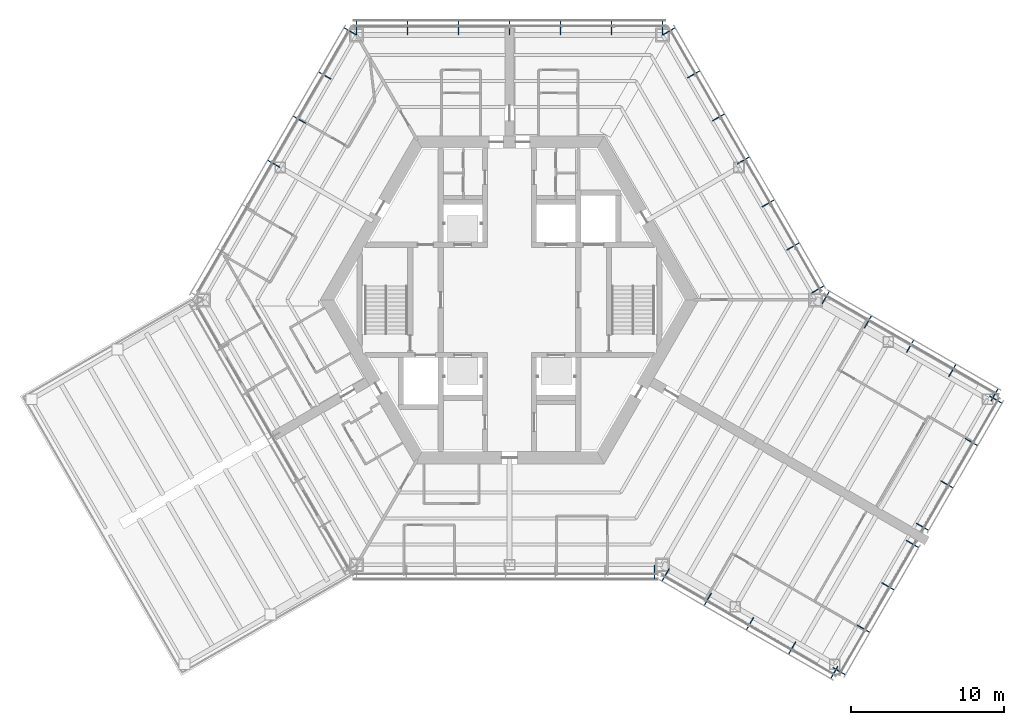
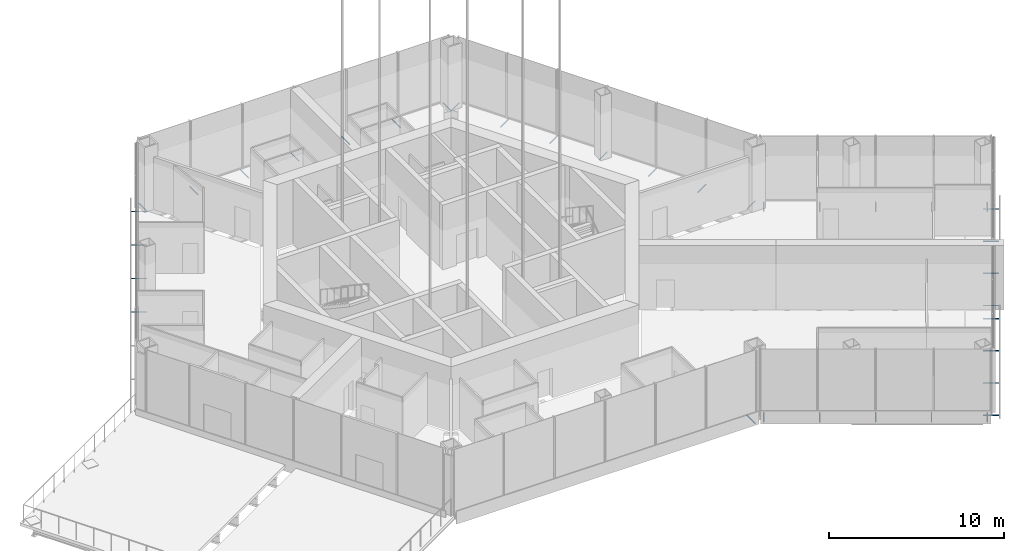
# One storey, part 14 of 17: 37 discrete accessories.
"""IFC4 building model written with IfcOpenShell, lengths in metres."""

from ifc_helpers import new_model, si_unit, direction, frame, origin, origin_2d, place, context, subcontext, project, spatial, hollow_circle, extrude, material, material_profile, profile_set, type_object, element, save


model = new_model("IFC4")

# Units and contexts
model_context = context("Model", 3, precision=1e-05, world=origin(), true_north=direction((0.0, 1.0)))
body_context = subcontext(model_context, "Body", "Model", "MODEL_VIEW")
ifc_project = project(units=[si_unit("LENGTHUNIT", "METRE"), si_unit("AREAUNIT", "SQUARE_METRE"), si_unit("VOLUMEUNIT", "CUBIC_METRE"), si_unit("PLANEANGLEUNIT", "RADIAN"), si_unit("MASSUNIT", "GRAM", prefix="KILO")], contexts=[model_context])

# Site, building, storey
site_placement = place(None, origin())
site = spatial("IfcSite", under=ifc_project, at=site_placement, CompositionType="ELEMENT")
building_placement = place(site_placement, origin())
building = spatial("IfcBuilding", under=site, at=building_placement, Name="Kasaneha Research Tower", CompositionType="ELEMENT")
storey_placement = place(building_placement, frame((0.0, 0.0, 208.300048828125)))
storey = spatial("IfcBuildingStorey", under=building, at=storey_placement, Name="L52", CompositionType="ELEMENT", Elevation=208.300048828125)

# Discrete accessories
ifc_material = material(Name="Steel STK400", Category="steel")
ifc_material_profile = material_profile(ifc_material, hollow_circle(Radius=0.0380859375, WallThickness=0.00390625, at=origin_2d()), Name="CHS-76.3x4.0")
ifc_profile_set = profile_set([ifc_material_profile], Name="Steel STK400")
discrete_accessory_type = type_object("IfcDiscreteAccessoryType", Name="Screen bracket CHS-76.3x4.0", PredefinedType="BRACKET", material=ifc_profile_set)
for number, where, z_axis, x_axis, name in (
    (1, (19.74462890625, 0.4423828125, -0.35009765625), (0.866013213425, 0.500021113727, 0.0), (-0.500021113727, 0.866013213425, 0.0), "Screen bracket 1"),
    (2, (18.120849609375, 3.2548828125, -0.35009765625), (0.866013213425, 0.500021113727, 0.0), (-0.500021113727, 0.866013213425, 0.0), "Screen bracket 2"),
    (3, (16.4970703125, 6.0673828125, -0.35009765625), (0.866013213425, 0.500021113727, 0.0), (-0.500021113727, 0.866013213425, 0.0), "Screen bracket 3"),
    (4, (14.873291015625, 8.8798828125, -0.35009765625), (0.866013213425, 0.500021113727, 0.0), (-0.500021113727, 0.866013213425, 0.0), "Screen bracket 4"),
    (5, (13.24951171875, 11.6923828125, -0.35009765625), (0.866013213425, 0.500021113727, 0.0), (-0.500021113727, 0.866013213425, 0.0), "Screen bracket 5"),
):
    element("IfcDiscreteAccessory", number, at=place(storey_placement, frame(where, z_axis=z_axis, x_axis=x_axis)), inside=storey, type_object=discrete_accessory_type, Name=name, PredefinedType="BRACKET", context=body_context, shape_type="SweptSolid", body=[
        extrude(hollow_circle(Radius=0.0380859375, WallThickness=0.00390625, at=origin_2d()), origin(), (0.0, 0.0, 1.0), 0.919921875),
    ])
for number, where, z_axis, x_axis, name in (
    (6, (11.62548828125, 14.5048828125, -0.35009765625), (0.866079547155, 0.499906209203, 0.0), (-0.499906209203, 0.866079547155, 0.0), "Screen bracket 6"),
    (7, (10.001708984375, 17.3173828125, -0.35009765625), (0.866079547155, 0.499906209203, 0.0), (-0.499906209203, 0.866079547155, 0.0), "Screen bracket 7"),
):
    element("IfcDiscreteAccessory", number, at=place(storey_placement, frame(where, z_axis=z_axis, x_axis=x_axis)), inside=storey, type_object=discrete_accessory_type, Name=name, PredefinedType="BRACKET", context=body_context, shape_type="SweptSolid", body=[
        extrude(hollow_circle(Radius=0.0380859375, WallThickness=0.00390625, at=origin_2d()), origin(), (0.0, 0.0, 1.0), 0.920166015625),
    ])
for number, where, z_axis, x_axis, name in (
    (8, (9.996337890625, 17.320556640625, -0.35009765625), (0.0, 1.0, 0.0), (-1.0, 0.0, 0.0), "Screen bracket 1"),
    (9, (6.664306640625, 17.320556640625, -0.35009765625), (0.0, 1.0, 0.0), (-1.0, 0.0, 0.0), "Screen bracket 2"),
    (10, (3.33203125, 17.320556640625, -0.35009765625), (0.0, 1.0, 0.0), (-1.0, 0.0, 0.0), "Screen bracket 3"),
    (11, (0.0, 17.320556640625, -0.35009765625), (0.0, 1.0, 0.0), (-1.0, 0.0, 0.0), "Screen bracket 4"),
    (12, (-3.33203125, 17.320556640625, -0.35009765625), (0.0, 1.0, 0.0), (-1.0, 0.0, 0.0), "Screen bracket 5"),
    (13, (-6.664306640625, 17.320556640625, -0.35009765625), (0.0, 1.0, 0.0), (-1.0, 0.0, 0.0), "Screen bracket 6"),
    (14, (-9.996337890625, 17.320556640625, -0.35009765625), (0.0, 1.0, 0.0), (-1.0, 0.0, 0.0), "Screen bracket 7"),
):
    element("IfcDiscreteAccessory", number, at=place(storey_placement, frame(where, z_axis=z_axis, x_axis=x_axis)), inside=storey, type_object=discrete_accessory_type, Name=name, PredefinedType="BRACKET", context=body_context, shape_type="SweptSolid", body=[
        extrude(hollow_circle(Radius=0.0380859375, WallThickness=0.00390625, at=origin_2d()), origin(), (0.0, 0.0, 1.0), 0.919921875),
    ])
discrete_accessory_1_placement = place(storey_placement, frame((-10.001708984375, 17.3173828125, -0.35009765625), z_axis=(-0.866079547155, 0.499906209203, 0.0), x_axis=(-0.499906209203, -0.866079547155, 0.0)))
element("IfcDiscreteAccessory", 15, at=discrete_accessory_1_placement, inside=storey, type_object=discrete_accessory_type, Name="Screen bracket 1", PredefinedType="BRACKET", context=body_context, shape_type="SweptSolid", body=[
    extrude(hollow_circle(Radius=0.0380859375, WallThickness=0.00390625, at=origin_2d()), origin(), (0.0, 0.0, 1.0), 0.920166015625),
])
for number, where, z_axis, x_axis, name in (
    (16, (-11.66796875, 14.431640625, -0.35009765625), (-0.866013213425, 0.500021113727, 0.0), (-0.500021113727, -0.866013213425, 0.0), "Screen bracket 2"),
    (17, (-13.333984375, 11.5458984375, -0.35009765625), (-0.866013213425, 0.500021113727, 0.0), (-0.500021113727, -0.866013213425, 0.0), "Screen bracket 3"),
    (18, (-15.0, 8.66015625, -0.35009765625), (-0.865898279276, 0.500220121494, 0.0), (-0.500220121494, -0.865898279276, 0.0), "Screen bracket 4"),
    (19, (9.4892578125, -17.320556640625, -0.35009765625), (0.0, -1.0, 0.0), (1.0, 0.0, 0.0), "Screen bracket 7"),
    (20, (10.4423828125, -17.575927734375, -0.35009765625), (-0.500021113727, -0.866013213425, 0.0), (0.866013213425, -0.500021113727, 0.0), "Screen bracket 1"),
):
    element("IfcDiscreteAccessory", number, at=place(storey_placement, frame(where, z_axis=z_axis, x_axis=x_axis)), inside=storey, type_object=discrete_accessory_type, Name=name, PredefinedType="BRACKET", context=body_context, shape_type="SweptSolid", body=[
        extrude(hollow_circle(Radius=0.0380859375, WallThickness=0.00390625, at=origin_2d()), origin(), (0.0, 0.0, 1.0), 0.919921875),
    ])
discrete_accessory_2_placement = place(storey_placement, frame((13.200439453125, -19.168212890625, -0.35009765625), z_axis=(-0.499906209203, -0.866079547155, 0.0), x_axis=(0.866079547155, -0.499906209203, 0.0)))
element("IfcDiscreteAccessory", 21, at=discrete_accessory_2_placement, inside=storey, type_object=discrete_accessory_type, Name="Screen bracket 2", PredefinedType="BRACKET", context=body_context, shape_type="SweptSolid", body=[
    extrude(hollow_circle(Radius=0.0380859375, WallThickness=0.00390625, at=origin_2d()), origin(), (0.0, 0.0, 1.0), 0.920166015625),
])
discrete_accessory_3_placement = place(storey_placement, frame((15.95849609375, -20.7607421875, -0.35009765625), z_axis=(-0.500021113727, -0.866013213425, 0.0), x_axis=(0.866013213425, -0.500021113727, 0.0)))
element("IfcDiscreteAccessory", 22, at=discrete_accessory_3_placement, inside=storey, type_object=discrete_accessory_type, Name="Screen bracket 3", PredefinedType="BRACKET", context=body_context, shape_type="SweptSolid", body=[
    extrude(hollow_circle(Radius=0.0380859375, WallThickness=0.00390625, at=origin_2d()), origin(), (0.0, 0.0, 1.0), 0.919921875),
])
discrete_accessory_4_placement = place(storey_placement, frame((18.716796875, -22.35302734375, -0.35009765625), z_axis=(-0.500105201737, -0.865964657013, 0.0), x_axis=(0.865964657013, -0.500105201737, 0.0)))
element("IfcDiscreteAccessory", 23, at=discrete_accessory_4_placement, inside=storey, type_object=discrete_accessory_type, Name="Screen bracket 4", PredefinedType="BRACKET", context=body_context, shape_type="SweptSolid", body=[
    extrude(hollow_circle(Radius=0.0380859375, WallThickness=0.00390625, at=origin_2d()), origin(), (0.0, 0.0, 1.0), 0.920166015625),
])
discrete_accessory_5_placement = place(storey_placement, frame((21.474853515625, -23.945556640625, -0.35009765625), z_axis=(-0.500021113727, -0.866013213425, 0.0), x_axis=(0.866013213425, -0.500021113727, 0.0)))
element("IfcDiscreteAccessory", 24, at=discrete_accessory_5_placement, inside=storey, type_object=discrete_accessory_type, Name="Screen bracket 5", PredefinedType="BRACKET", context=body_context, shape_type="SweptSolid", body=[
    extrude(hollow_circle(Radius=0.0380859375, WallThickness=0.00390625, at=origin_2d()), origin(), (0.0, 0.0, 1.0), 0.919921875),
])
discrete_accessory_6_placement = place(storey_placement, frame((21.13330078125, -24.037109375, -0.35009765625), z_axis=(0.866079547155, -0.499906209203, 0.0), x_axis=(0.499906209203, 0.866079547155, 0.0)))
element("IfcDiscreteAccessory", 25, at=discrete_accessory_6_placement, inside=storey, type_object=discrete_accessory_type, Name="Screen bracket 1", PredefinedType="BRACKET", context=body_context, shape_type="SweptSolid", body=[
    extrude(hollow_circle(Radius=0.0380859375, WallThickness=0.00390625, at=origin_2d()), origin(), (0.0, 0.0, 1.0), 0.920166015625),
])
discrete_accessory_7_placement = place(storey_placement, frame((22.7333984375, -21.265625, -0.35009765625), z_axis=(0.865898279276, -0.500220121494, 0.0), x_axis=(0.500220121494, 0.865898279276, 0.0)))
element("IfcDiscreteAccessory", 26, at=discrete_accessory_7_placement, inside=storey, type_object=discrete_accessory_type, Name="Screen bracket 2", PredefinedType="BRACKET", context=body_context, shape_type="SweptSolid", body=[
    extrude(hollow_circle(Radius=0.0380859375, WallThickness=0.00390625, at=origin_2d()), origin(), (0.0, 0.0, 1.0), 0.919921875),
])
discrete_accessory_8_placement = place(storey_placement, frame((24.333251953125, -18.494384765625, -0.35009765625), z_axis=(0.866079547155, -0.499906209203, 0.0), x_axis=(0.499906209203, 0.866079547155, 0.0)))
element("IfcDiscreteAccessory", 27, at=discrete_accessory_8_placement, inside=storey, type_object=discrete_accessory_type, Name="Screen bracket 3", PredefinedType="BRACKET", context=body_context, shape_type="SweptSolid", body=[
    extrude(hollow_circle(Radius=0.0380859375, WallThickness=0.00390625, at=origin_2d()), origin(), (0.0, 0.0, 1.0), 0.920166015625),
])
discrete_accessory_9_placement = place(storey_placement, frame((25.933349609375, -15.72314453125, -0.35009765625), z_axis=(0.866013213425, -0.500021113727, 0.0), x_axis=(0.500021113727, 0.866013213425, 0.0)))
element("IfcDiscreteAccessory", 28, at=discrete_accessory_9_placement, inside=storey, type_object=discrete_accessory_type, Name="Screen bracket 4", PredefinedType="BRACKET", context=body_context, shape_type="SweptSolid", body=[
    extrude(hollow_circle(Radius=0.0380859375, WallThickness=0.00390625, at=origin_2d()), origin(), (0.0, 0.0, 1.0), 0.919921875),
])
discrete_accessory_10_placement = place(storey_placement, frame((26.583251953125, -14.597412109375, -0.35009765625), z_axis=(0.866079547155, -0.499906209203, 0.0), x_axis=(0.499906209203, 0.866079547155, 0.0)))
element("IfcDiscreteAccessory", 29, at=discrete_accessory_10_placement, inside=storey, type_object=discrete_accessory_type, Name="Screen bracket 1", PredefinedType="BRACKET", context=body_context, shape_type="SweptSolid", body=[
    extrude(hollow_circle(Radius=0.0380859375, WallThickness=0.00390625, at=origin_2d()), origin(), (0.0, 0.0, 1.0), 0.920166015625),
])
for number, where, z_axis, x_axis, name in (
    (30, (28.183349609375, -11.826171875, -0.35009765625), (0.866013213425, -0.500021113727, 0.0), (0.500021113727, 0.866013213425, 0.0), "Screen bracket 2"),
    (31, (29.783447265625, -9.0546875, -0.35009765625), (0.865898279276, -0.500220121494, 0.0), (0.500220121494, 0.865898279276, 0.0), "Screen bracket 3"),
):
    element("IfcDiscreteAccessory", number, at=place(storey_placement, frame(where, z_axis=z_axis, x_axis=x_axis)), inside=storey, type_object=discrete_accessory_type, Name=name, PredefinedType="BRACKET", context=body_context, shape_type="SweptSolid", body=[
        extrude(hollow_circle(Radius=0.0380859375, WallThickness=0.00390625, at=origin_2d()), origin(), (0.0, 0.0, 1.0), 0.919921875),
    ])
discrete_accessory_11_placement = place(storey_placement, frame((31.38330078125, -6.283447265625, -0.35009765625), z_axis=(0.866079547155, -0.499906209203, 0.0), x_axis=(0.499906209203, 0.866079547155, 0.0)))
element("IfcDiscreteAccessory", 32, at=discrete_accessory_11_placement, inside=storey, type_object=discrete_accessory_type, Name="Screen bracket 4", PredefinedType="BRACKET", context=body_context, shape_type="SweptSolid", body=[
    extrude(hollow_circle(Radius=0.0380859375, WallThickness=0.00390625, at=origin_2d()), origin(), (0.0, 0.0, 1.0), 0.920166015625),
])
discrete_accessory_12_placement = place(storey_placement, frame((31.474853515625, -6.625, -0.35009765625), z_axis=(0.500021113727, 0.866013213425, 0.0), x_axis=(-0.866013213425, 0.500021113727, 0.0)))
element("IfcDiscreteAccessory", 33, at=discrete_accessory_12_placement, inside=storey, type_object=discrete_accessory_type, Name="Screen bracket 1", PredefinedType="BRACKET", context=body_context, shape_type="SweptSolid", body=[
    extrude(hollow_circle(Radius=0.0380859375, WallThickness=0.00390625, at=origin_2d()), origin(), (0.0, 0.0, 1.0), 0.919921875),
])
discrete_accessory_13_placement = place(storey_placement, frame((28.716796875, -5.03271484375, -0.35009765625), z_axis=(0.499906209203, 0.866079547155, 0.0), x_axis=(-0.866079547155, 0.499906209203, 0.0)))
element("IfcDiscreteAccessory", 34, at=discrete_accessory_13_placement, inside=storey, type_object=discrete_accessory_type, Name="Screen bracket 2", PredefinedType="BRACKET", context=body_context, shape_type="SweptSolid", body=[
    extrude(hollow_circle(Radius=0.0380859375, WallThickness=0.00390625, at=origin_2d()), origin(), (0.0, 0.0, 1.0), 0.920166015625),
])
discrete_accessory_14_placement = place(storey_placement, frame((25.95849609375, -3.440185546875, -0.35009765625), z_axis=(0.500220121494, 0.865898279276, 0.0), x_axis=(-0.865898279276, 0.500220121494, 0.0)))
element("IfcDiscreteAccessory", 35, at=discrete_accessory_14_placement, inside=storey, type_object=discrete_accessory_type, Name="Screen bracket 3", PredefinedType="BRACKET", context=body_context, shape_type="SweptSolid", body=[
    extrude(hollow_circle(Radius=0.0380859375, WallThickness=0.00390625, at=origin_2d()), origin(), (0.0, 0.0, 1.0), 0.919921875),
])
discrete_accessory_15_placement = place(storey_placement, frame((23.200439453125, -1.847900390625, -0.35009765625), z_axis=(0.499906209203, 0.866079547155, 0.0), x_axis=(-0.866079547155, 0.499906209203, 0.0)))
element("IfcDiscreteAccessory", 36, at=discrete_accessory_15_placement, inside=storey, type_object=discrete_accessory_type, Name="Screen bracket 4", PredefinedType="BRACKET", context=body_context, shape_type="SweptSolid", body=[
    extrude(hollow_circle(Radius=0.0380859375, WallThickness=0.00390625, at=origin_2d()), origin(), (0.0, 0.0, 1.0), 0.920166015625),
])
discrete_accessory_16_placement = place(storey_placement, frame((20.4423828125, -0.25537109375, -0.35009765625), z_axis=(0.500021113727, 0.866013213425, 0.0), x_axis=(-0.866013213425, 0.500021113727, 0.0)))
element("IfcDiscreteAccessory", 37, at=discrete_accessory_16_placement, inside=storey, type_object=discrete_accessory_type, Name="Screen bracket 5", PredefinedType="BRACKET", context=body_context, shape_type="SweptSolid", body=[
    extrude(hollow_circle(Radius=0.0380859375, WallThickness=0.00390625, at=origin_2d()), origin(), (0.0, 0.0, 1.0), 0.919921875),
])

save(model, "model.ifc")
